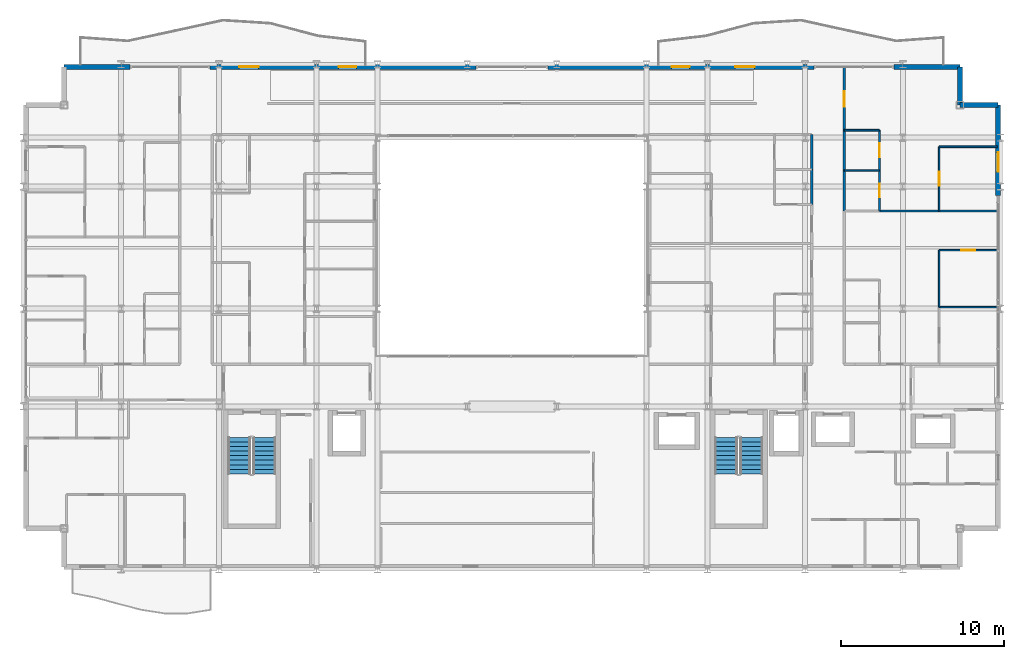
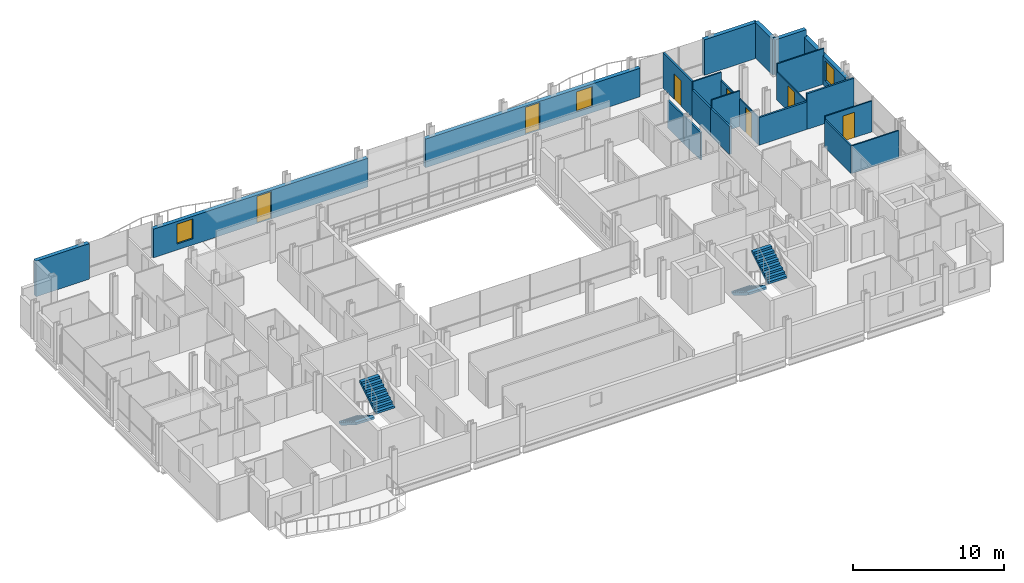
# One storey, part 36 of 40: 23 walls, 7 doors, 4 stair flights, 3 windows, 10 openings, 2 elements without a shape of their own.
"""IFC4 building model written with IfcOpenShell, lengths in metres."""

from ifc_helpers import new_model, si_unit, direction, frame, frame_2d, origin, place, context, subcontext, project, spatial, polyline, rectangle, outline, extrude, material, layer, layer_set, type_object, element, fill, aggregate, save


model = new_model("IFC4")

# Units and contexts
model_context = context("Model", 3, precision=1e-05, world=origin(), true_north=direction((0.0, 1.0)))
body_context = subcontext(model_context, "Body", "Model", "MODEL_VIEW")
ifc_project = project(units=[si_unit("LENGTHUNIT", "METRE"), si_unit("AREAUNIT", "SQUARE_METRE"), si_unit("VOLUMEUNIT", "CUBIC_METRE"), si_unit("PLANEANGLEUNIT", "RADIAN"), si_unit("MASSUNIT", "GRAM", prefix="KILO")], contexts=[model_context])

# Site, building, storey
site_placement = place(None, origin())
site = spatial("IfcSite", under=ifc_project, at=site_placement, CompositionType="ELEMENT")
building_placement = place(site_placement, origin())
building = spatial("IfcBuilding", under=site, at=building_placement, Name="Brevholm Reach", CompositionType="ELEMENT")
storey_placement = place(building_placement, frame((0.0, 0.0, 62.10009765625)))
storey = spatial("IfcBuildingStorey", under=building, at=storey_placement, Name="L17", CompositionType="ELEMENT", Elevation=62.10009765625)

# Walls
ifc_material_1 = material(Name="Concrete C40/50", Category="concrete")
ifc_layer_1 = layer(ifc_material_1, 0.300048828125)
ifc_layer_set_1 = layer_set([ifc_layer_1], Name="Concrete C40/50")
wall_type_1 = type_object("IfcWallType", Name="WAL-EXT-300", PredefinedType="STANDARD", material=ifc_layer_set_1)
for number, where, z_axis, x_axis, name in (
    (1, (59.85009765625, 28.5, 0.0), (0.0, 0.0, 1.0), (-1.0, 0.0, 0.0), "L17 Facade Wall WAL-L17-CNE1"),
    (2, (57.5, 28.5, 0.0), (0.0, 0.0, 1.0), (0.0, 1.0, 0.0), "L17 Facade Wall WAL-L17-CNE2"),
):
    element("IfcWall", number, at=place(storey_placement, frame(where, z_axis=z_axis, x_axis=x_axis)), inside=storey, type_object=wall_type_1, Name=name, PredefinedType="STANDARD", context=body_context, shape_type="SweptSolid", body=[
        extrude(rectangle(XDim=2.35009765625, YDim=0.300048828125, at=frame_2d((1.175048828125, 0.0))), origin(), (0.0, 0.0, 1.0), 2.869873046875),
    ])

# Wall, opening, window
wall_1_placement = place(storey_placement, frame((59.85009765625, 22.949951171875, 0.0), z_axis=(0.0, 0.0, 1.0), x_axis=(0.0, 1.0, 0.0)))
wall_1 = element("IfcWall", 3, at=wall_1_placement, inside=storey, type_object=wall_type_1, Name="L17 Facade Wall WAL-L17-E-N", PredefinedType="STANDARD", context=body_context, shape_type="SweptSolid", body=[
    extrude(rectangle(XDim=5.550048828125, YDim=0.300048828125, at=frame_2d((2.77490234375, 0.0))), origin(), (0.0, 0.0, 1.0), 2.305419921875),
])
opening_1_placement = place(wall_1_placement, frame((1.449951171875, 0.0, 0.486083984375)))
opening_1 = element("IfcOpeningElement", 4, at=opening_1_placement, cuts=wall_1, Name="Opening WN-08", PredefinedType="OPENING", context=body_context, shape_type="SweptSolid", body=[
    extrude(rectangle(XDim=1.199951171875, YDim=1.60009765625, at=frame_2d((0.60009765625, 0.800048828125))), frame((0.0, 0.159912109375, 0.0), z_axis=(0.0, -1.0, 0.0), x_axis=(1.0, 0.0, 0.0)), (0.0, 0.0, 1.0), 0.320068359375),
])
ifc_material_2 = material(Name="Dark Anodised Aluminium and Solar-Control IGU Glass", Category="aluminium")
window_type = type_object("IfcWindowType", Name="WIN-RES-1200", PartitioningType="SINGLE_PANEL", PredefinedType="WINDOW", material=ifc_material_2)
window_1_placement = place(opening_1_placement, origin())
window_1 = element("IfcWindow", 5, at=window_1_placement, inside=storey, type_object=window_type, Name="L17 Window WIN-L17-EN-1", OverallHeight=1.60009765625, OverallWidth=1.199951171875, PartitioningType="SINGLE_PANEL", PredefinedType="WINDOW", context=body_context, shape_type="SweptSolid", body=[
    extrude(rectangle(XDim=1.199951171875, YDim=1.60009765625, at=frame_2d((0.60009765625, 0.800048828125))), frame((0.0, 0.030029296875, 0.0), z_axis=(0.0, -1.0, 0.0), x_axis=(1.0, 0.0, 0.0)), (0.0, 0.0, 1.0), 0.06005859375),
])
fill(opening_1, window_1)

# Walls
for number, where, z_axis, x_axis, name in (
    (6, (2.5, 30.85009765625, 0.0), (0.0, 0.0, 1.0), (1.0, 0.0, 0.0), "L17 Facade Wall WAL-L17-NP-W0"),
    (7, (53.449951171875, 30.85009765625, 0.0), (0.0, 0.0, 1.0), (1.0, 0.0, 0.0), "L17 Facade Wall WAL-L17-NP-E0"),
):
    element("IfcWall", number, at=place(storey_placement, frame(where, z_axis=z_axis, x_axis=x_axis)), inside=storey, type_object=wall_type_1, Name=name, PredefinedType="STANDARD", context=body_context, shape_type="SweptSolid", body=[
        extrude(rectangle(XDim=4.050048828125, YDim=0.300048828125, at=frame_2d((2.02490234375, 0.0))), origin(), (0.0, 0.0, 1.0), 2.869873046875),
    ])

# Wall, openings, door, window
wall_2_placement = place(storey_placement, frame((11.449951171875, 30.85009765625, 0.0), z_axis=(0.0, 0.0, 1.0), x_axis=(1.0, 0.0, 0.0)))
wall_2 = element("IfcWall", 8, at=wall_2_placement, inside=storey, type_object=wall_type_1, Name="L17 Facade Wall WAL-L17-NP-WL", PredefinedType="STANDARD", context=body_context, shape_type="SweptSolid", body=[
    extrude(rectangle(XDim=16.35009765625, YDim=0.300048828125, at=frame_2d((8.175048828125, 0.0))), origin(), (0.0, 0.0, 1.0), 2.305419921875),
])
opening_2_placement = place(wall_2_placement, frame((7.89794921875, 0.0, 0.0)))
opening_2 = element("IfcOpeningElement", 9, at=opening_2_placement, cuts=wall_2, Name="Opening BD-01", PredefinedType="OPENING", context=body_context, shape_type="SweptSolid", body=[
    extrude(rectangle(XDim=1.10009765625, YDim=2.199951171875, at=frame_2d((0.550048828125, 1.10009765625))), frame((0.0, 0.159912109375, 0.0), z_axis=(0.0, -1.0, 0.0), x_axis=(1.0, 0.0, 0.0)), (0.0, 0.0, 1.0), 0.320068359375),
])
opening_3_placement = place(wall_2_placement, frame((1.800048828125, 0.0, 0.486083984375)))
opening_3 = element("IfcOpeningElement", 10, at=opening_3_placement, cuts=wall_2, Name="Opening WN-08", PredefinedType="OPENING", context=body_context, shape_type="SweptSolid", body=[
    extrude(rectangle(XDim=1.199951171875, YDim=1.60009765625, at=frame_2d((0.60009765625, 0.800048828125))), frame((0.0, 0.159912109375, 0.0), z_axis=(0.0, -1.0, 0.0), x_axis=(1.0, 0.0, 0.0)), (0.0, 0.0, 1.0), 0.320068359375),
])
ifc_material_3 = material(Name="Dark Anodised Aluminium and Triple-Glazed Glass", Category="aluminium")
door_type_1 = type_object("IfcDoorType", Name="DOR-BALC-1100", OperationType="NOTDEFINED", PredefinedType="DOOR", material=ifc_material_3)
door_1_placement = place(opening_2_placement, origin())
door_1 = element("IfcDoor", 11, at=door_1_placement, inside=storey, type_object=door_type_1, Name="L17 Exterior Door DOR-L17-BL-NW", OperationType="SINGLE_SWING_RIGHT", OverallHeight=2.199951171875, OverallWidth=1.10009765625, PredefinedType="DOOR", context=body_context, shape_type="SweptSolid", body=[
    extrude(rectangle(XDim=1.10009765625, YDim=2.199951171875, at=frame_2d((0.550048828125, 1.10009765625))), frame((0.0, 0.02490234375, 0.0), z_axis=(0.0, -1.0, 0.0), x_axis=(1.0, 0.0, 0.0)), (0.0, 0.0, 1.0), 0.050048828125),
])
fill(opening_2, door_1)
window_2_placement = place(opening_3_placement, origin())
window_2 = element("IfcWindow", 12, at=window_2_placement, inside=storey, type_object=window_type, Name="L17 Window WIN-L17-NP-WL1", OverallHeight=1.60009765625, OverallWidth=1.199951171875, PartitioningType="SINGLE_PANEL", PredefinedType="WINDOW", context=body_context, shape_type="SweptSolid", body=[
    extrude(rectangle(XDim=1.199951171875, YDim=1.60009765625, at=frame_2d((0.60009765625, 0.800048828125))), frame((0.0, 0.030029296875, 0.0), z_axis=(0.0, -1.0, 0.0), x_axis=(1.0, 0.0, 0.0)), (0.0, 0.0, 1.0), 0.06005859375),
])
fill(opening_3, window_2)

wall_3_placement = place(storey_placement, frame((32.199951171875, 30.85009765625, 0.0), z_axis=(0.0, 0.0, 1.0), x_axis=(1.0, 0.0, 0.0)))
wall_3 = element("IfcWall", 13, at=wall_3_placement, inside=storey, type_object=wall_type_1, Name="L17 Facade Wall WAL-L17-NP-ER", PredefinedType="STANDARD", context=body_context, shape_type="SweptSolid", body=[
    extrude(rectangle(XDim=16.35009765625, YDim=0.300048828125, at=frame_2d((8.175048828125, 0.0))), origin(), (0.0, 0.0, 1.0), 2.305419921875),
])
opening_4_placement = place(wall_3_placement, frame((7.60009765625, 0.0, 0.0)))
opening_4 = element("IfcOpeningElement", 14, at=opening_4_placement, cuts=wall_3, Name="Opening BD-01", PredefinedType="OPENING", context=body_context, shape_type="SweptSolid", body=[
    extrude(rectangle(XDim=1.10009765625, YDim=2.199951171875, at=frame_2d((0.550048828125, 1.10009765625))), frame((0.0, 0.159912109375, 0.0), z_axis=(0.0, -1.0, 0.0), x_axis=(1.0, 0.0, 0.0)), (0.0, 0.0, 1.0), 0.320068359375),
])
opening_5_placement = place(wall_3_placement, frame((11.5, 0.0, 0.486083984375)))
opening_5 = element("IfcOpeningElement", 15, at=opening_5_placement, cuts=wall_3, Name="Opening WN-08", PredefinedType="OPENING", context=body_context, shape_type="SweptSolid", body=[
    extrude(rectangle(XDim=1.199951171875, YDim=1.60009765625, at=frame_2d((0.60009765625, 0.800048828125))), frame((0.0, 0.159912109375, 0.0), z_axis=(0.0, -1.0, 0.0), x_axis=(1.0, 0.0, 0.0)), (0.0, 0.0, 1.0), 0.320068359375),
])
door_2_placement = place(opening_4_placement, origin())
door_2 = element("IfcDoor", 16, at=door_2_placement, inside=storey, type_object=door_type_1, Name="L17 Exterior Door DOR-L17-BL-NE", OperationType="SINGLE_SWING_LEFT", OverallHeight=2.199951171875, OverallWidth=1.10009765625, PredefinedType="DOOR", context=body_context, shape_type="SweptSolid", body=[
    extrude(rectangle(XDim=1.10009765625, YDim=2.199951171875, at=frame_2d((0.550048828125, 1.10009765625))), frame((0.0, 0.02490234375, 0.0), z_axis=(0.0, -1.0, 0.0), x_axis=(1.0, 0.0, 0.0)), (0.0, 0.0, 1.0), 0.050048828125),
])
fill(opening_4, door_2)
window_3_placement = place(opening_5_placement, origin())
window_3 = element("IfcWindow", 17, at=window_3_placement, inside=storey, type_object=window_type, Name="L17 Window WIN-L17-NP-ER1", OverallHeight=1.60009765625, OverallWidth=1.199951171875, PartitioningType="SINGLE_PANEL", PredefinedType="WINDOW", context=body_context, shape_type="SweptSolid", body=[
    extrude(rectangle(XDim=1.199951171875, YDim=1.60009765625, at=frame_2d((0.60009765625, 0.800048828125))), frame((0.0, 0.030029296875, 0.0), z_axis=(0.0, -1.0, 0.0), x_axis=(1.0, 0.0, 0.0)), (0.0, 0.0, 1.0), 0.06005859375),
])
fill(opening_5, window_3)

# Wall
ifc_material_4 = material(Name="Moisture-Resistant Acoustic Gypsum Stud Partition 100 mm", Category="gypsum")
ifc_layer_2 = layer(ifc_material_4, 0.10009765625)
ifc_layer_set_2 = layer_set([ifc_layer_2], Name="Moisture-Resistant Acoustic Gypsum Stud Partition 100 mm")
wall_type_2 = type_object("IfcWallType", Name="WAL-PRT-100", PredefinedType="PARTITIONING", material=ifc_layer_set_2)
wall_4_placement = place(storey_placement, frame((56.22802734375, 16.10009765625, 0.0), z_axis=(0.0, 0.0, 1.0), x_axis=(1.0, 0.0, 0.0)))
element("IfcWall", 18, at=wall_4_placement, inside=storey, type_object=wall_type_2, Name="L17 Internal Partition 135", PredefinedType="PARTITIONING", context=body_context, shape_type="SweptSolid", body=[
    extrude(rectangle(XDim=3.572021484375, YDim=0.10009765625, at=frame_2d((1.7861328125, 0.0))), origin(), (0.0, 0.0, 1.0), 2.224609375),
])

# Wall, opening, door
wall_5_placement = place(storey_placement, frame((56.22802734375, 19.60009765625, 0.0), z_axis=(0.0, 0.0, 1.0), x_axis=(1.0, 0.0, 0.0)))
wall_5 = element("IfcWall", 19, at=wall_5_placement, inside=storey, type_object=wall_type_2, Name="L17 Internal Partition 137", PredefinedType="PARTITIONING", context=body_context, shape_type="SweptSolid", body=[
    extrude(rectangle(XDim=3.572021484375, YDim=0.10009765625, at=frame_2d((1.7861328125, 0.0))), origin(), (0.0, 0.0, 1.0), 2.489990234375),
])
opening_6_placement = place(wall_5_placement, frame((1.345947265625, 0.0, 0.0)))
opening_6 = element("IfcOpeningElement", 20, at=opening_6_placement, cuts=wall_5, Name="Opening ID-01", PredefinedType="OPENING", context=body_context, shape_type="SweptSolid", body=[
    extrude(rectangle(XDim=0.8798828125, YDim=2.0400390625, at=frame_2d((0.43994140625, 1.02001953125))), frame((0.0, 0.06005859375, 0.0), z_axis=(0.0, -1.0, 0.0), x_axis=(1.0, 0.0, 0.0)), (0.0, 0.0, 1.0), 0.1201171875),
])
ifc_material_5 = material(Name="Lacquered Ash Solid-Core Acoustic Internal Door", Category="timber")
door_type_2 = type_object("IfcDoorType", Name="DOR-INT-880", OperationType="NOTDEFINED", PredefinedType="DOOR", material=ifc_material_5)
door_3_placement = place(opening_6_placement, origin())
door_3 = element("IfcDoor", 21, at=door_3_placement, inside=storey, type_object=door_type_2, Name="L17 Internal Door 054", OperationType="SINGLE_SWING_RIGHT", OverallHeight=2.0400390625, OverallWidth=0.8798828125, PredefinedType="DOOR", context=body_context, shape_type="SweptSolid", body=[
    extrude(rectangle(XDim=0.8798828125, YDim=2.0400390625, at=frame_2d((0.43994140625, 1.02001953125))), frame((0.0, 0.02490234375, 0.0), z_axis=(0.0, -1.0, 0.0), x_axis=(1.0, 0.0, 0.0)), (0.0, 0.0, 1.0), 0.050048828125),
])
fill(opening_6, door_3)

# Walls
wall_6_placement = place(storey_placement, frame((56.22802734375, 16.10400390625, 0.0), z_axis=(0.0, 0.0, 1.0), x_axis=(0.0, 1.0, 0.0)))
element("IfcWall", 22, at=wall_6_placement, inside=storey, type_object=wall_type_2, Name="L17 Internal Partition 138", PredefinedType="PARTITIONING", context=body_context, shape_type="SweptSolid", body=[
    extrude(rectangle(XDim=3.49609375, YDim=0.10009765625, at=frame_2d((1.748046875, 0.0))), origin(), (0.0, 0.0, 1.0), 2.224609375),
])
wall_7_placement = place(storey_placement, frame((50.404052734375, 24.49609375, 0.0), z_axis=(0.0, 0.0, 1.0), x_axis=(1.0, 0.0, 0.0)))
element("IfcWall", 23, at=wall_7_placement, inside=storey, type_object=wall_type_2, Name="L17 Internal Partition 142", PredefinedType="PARTITIONING", context=body_context, shape_type="SweptSolid", body=[
    extrude(rectangle(XDim=2.157958984375, YDim=0.10009765625, at=frame_2d((1.0791015625, 0.0))), origin(), (0.0, 0.0, 1.0), 2.869873046875),
])

# Wall, opening, door
wall_8_placement = place(storey_placement, frame((52.56201171875, 22.00390625, 0.0), z_axis=(0.0, 0.0, 1.0), x_axis=(0.0, 1.0, 0.0)))
wall_8 = element("IfcWall", 24, at=wall_8_placement, inside=storey, type_object=wall_type_2, Name="L17 Internal Partition 143", PredefinedType="PARTITIONING", context=body_context, shape_type="SweptSolid", body=[
    extrude(rectangle(XDim=2.4921875, YDim=0.10009765625, at=frame_2d((1.24609375, 0.0))), origin(), (0.0, 0.0, 1.0), 2.224609375),
])
opening_7_placement = place(wall_8_placement, frame((0.8359375, 0.0, 0.0)))
opening_7 = element("IfcOpeningElement", 25, at=opening_7_placement, cuts=wall_8, Name="Opening ID-03", PredefinedType="OPENING", context=body_context, shape_type="SweptSolid", body=[
    extrude(rectangle(XDim=0.820068359375, YDim=2.02001953125, at=frame_2d((0.41015625, 1.010009765625))), frame((0.0, 0.06005859375, 0.0), z_axis=(0.0, -1.0, 0.0), x_axis=(1.0, 0.0, 0.0)), (0.0, 0.0, 1.0), 0.1201171875),
])
ifc_material_6 = material(Name="Moisture-Resistant Painted Timber Internal Bathroom Door", Category="wood")
door_type_3 = type_object("IfcDoorType", Name="DOR-BATH-820", OperationType="NOTDEFINED", PredefinedType="DOOR", material=ifc_material_6)
door_4_placement = place(opening_7_placement, origin())
door_4 = element("IfcDoor", 26, at=door_4_placement, inside=storey, type_object=door_type_3, Name="L17 Internal Door 055", OperationType="SINGLE_SWING_LEFT", OverallHeight=2.02001953125, OverallWidth=0.820068359375, PredefinedType="DOOR", context=body_context, shape_type="SweptSolid", body=[
    extrude(rectangle(XDim=0.820068359375, YDim=2.02001953125, at=frame_2d((0.41015625, 1.010009765625))), frame((0.0, 0.02490234375, 0.0), z_axis=(0.0, -1.0, 0.0), x_axis=(1.0, 0.0, 0.0)), (0.0, 0.0, 1.0), 0.050048828125),
])
fill(opening_7, door_4)

wall_9_placement = place(storey_placement, frame((52.56201171875, 24.5, 0.0), z_axis=(0.0, 0.0, 1.0), x_axis=(0.0, 1.0, 0.0)))
wall_9 = element("IfcWall", 27, at=wall_9_placement, inside=storey, type_object=wall_type_2, Name="L17 Internal Partition 144", PredefinedType="PARTITIONING", context=body_context, shape_type="SweptSolid", body=[
    extrude(rectangle(XDim=2.4599609375, YDim=0.10009765625, at=frame_2d((1.22998046875, 0.0))), origin(), (0.0, 0.0, 1.0), 2.224609375),
])
opening_8_placement = place(wall_9_placement, frame((0.7900390625, 0.0, 0.0)))
opening_8 = element("IfcOpeningElement", 28, at=opening_8_placement, cuts=wall_9, Name="Opening ID-01", PredefinedType="OPENING", context=body_context, shape_type="SweptSolid", body=[
    extrude(rectangle(XDim=0.8798828125, YDim=2.0400390625, at=frame_2d((0.43994140625, 1.02001953125))), frame((0.0, 0.06005859375, 0.0), z_axis=(0.0, -1.0, 0.0), x_axis=(1.0, 0.0, 0.0)), (0.0, 0.0, 1.0), 0.1201171875),
])
door_5_placement = place(opening_8_placement, origin())
door_5 = element("IfcDoor", 29, at=door_5_placement, inside=storey, type_object=door_type_2, Name="L17 Internal Door 056", OperationType="SINGLE_SWING_RIGHT", OverallHeight=2.0400390625, OverallWidth=0.8798828125, PredefinedType="DOOR", context=body_context, shape_type="SweptSolid", body=[
    extrude(rectangle(XDim=0.8798828125, YDim=2.0400390625, at=frame_2d((0.43994140625, 1.02001953125))), frame((0.0, 0.02490234375, 0.0), z_axis=(0.0, -1.0, 0.0), x_axis=(1.0, 0.0, 0.0)), (0.0, 0.0, 1.0), 0.050048828125),
])
fill(opening_8, door_5)

# Walls
wall_10_placement = place(storey_placement, frame((50.404052734375, 26.9599609375, 0.0), z_axis=(0.0, 0.0, 1.0), x_axis=(1.0, 0.0, 0.0)))
element("IfcWall", 30, at=wall_10_placement, inside=storey, type_object=wall_type_2, Name="L17 Internal Partition 145", PredefinedType="PARTITIONING", context=body_context, shape_type="SweptSolid", body=[
    extrude(rectangle(XDim=2.157958984375, YDim=0.10009765625, at=frame_2d((1.0791015625, 0.0))), origin(), (0.0, 0.0, 1.0), 2.869873046875),
])
wall_11_placement = place(storey_placement, frame((56.22802734375, 25.949951171875, 0.0), z_axis=(0.0, 0.0, 1.0), x_axis=(1.0, 0.0, 0.0)))
element("IfcWall", 31, at=wall_11_placement, inside=storey, type_object=wall_type_2, Name="L17 Internal Partition 146", PredefinedType="PARTITIONING", context=body_context, shape_type="SweptSolid", body=[
    extrude(rectangle(XDim=3.572021484375, YDim=0.10009765625, at=frame_2d((1.7861328125, 0.0))), origin(), (0.0, 0.0, 1.0), 2.869873046875),
])

# Wall, opening, door
wall_12_placement = place(storey_placement, frame((56.22802734375, 22.00390625, 0.0), z_axis=(0.0, 0.0, 1.0), x_axis=(0.0, 1.0, 0.0)))
wall_12 = element("IfcWall", 32, at=wall_12_placement, inside=storey, type_object=wall_type_2, Name="L17 Internal Partition 147", PredefinedType="PARTITIONING", context=body_context, shape_type="SweptSolid", body=[
    extrude(rectangle(XDim=3.946044921875, YDim=0.10009765625, at=frame_2d((1.97314453125, 0.0))), origin(), (0.0, 0.0, 1.0), 2.224609375),
])
opening_9_placement = place(wall_12_placement, frame((1.532958984375, 0.0, 0.0)))
opening_9 = element("IfcOpeningElement", 33, at=opening_9_placement, cuts=wall_12, Name="Opening ID-01", PredefinedType="OPENING", context=body_context, shape_type="SweptSolid", body=[
    extrude(rectangle(XDim=0.8798828125, YDim=2.0400390625, at=frame_2d((0.43994140625, 1.02001953125))), frame((0.0, 0.06005859375, 0.0), z_axis=(0.0, -1.0, 0.0), x_axis=(1.0, 0.0, 0.0)), (0.0, 0.0, 1.0), 0.1201171875),
])
door_6_placement = place(opening_9_placement, origin())
door_6 = element("IfcDoor", 34, at=door_6_placement, inside=storey, type_object=door_type_2, Name="L17 Internal Door 057", OperationType="SINGLE_SWING_LEFT", OverallHeight=2.0400390625, OverallWidth=0.8798828125, PredefinedType="DOOR", context=body_context, shape_type="SweptSolid", body=[
    extrude(rectangle(XDim=0.8798828125, YDim=2.0400390625, at=frame_2d((0.43994140625, 1.02001953125))), frame((0.0, 0.02490234375, 0.0), z_axis=(0.0, -1.0, 0.0), x_axis=(1.0, 0.0, 0.0)), (0.0, 0.0, 1.0), 0.050048828125),
])
fill(opening_9, door_6)

# Walls
ifc_material_7 = material(Name="Twin-Stud Acoustic Fire-Rated Gypsum Partition 140 mm", Category="gypsum")
ifc_layer_3 = layer(ifc_material_7, 0.139892578125)
ifc_layer_set_3 = layer_set([ifc_layer_3], Name="Twin-Stud Acoustic Fire-Rated Gypsum Partition 140 mm")
wall_type_3 = type_object("IfcWallType", Name="WAL-PRT-140", PredefinedType="PARTITIONING", material=ifc_layer_set_3)
wall_13_placement = place(storey_placement, frame((48.39990234375, 24.538818359375, 0.0), z_axis=(0.0, 0.0, 1.0), x_axis=(0.0, 1.0, 0.0)))
element("IfcWall", 35, at=wall_13_placement, inside=storey, type_object=wall_type_3, Name="L17 Internal Partition 045", PredefinedType="PARTITIONING", context=body_context, shape_type="SweptSolid", body=[
    extrude(rectangle(XDim=2.16845703125, YDim=0.139892578125, at=frame_2d((1.084228515625, 0.0))), origin(), (0.0, 0.0, 1.0), 2.224609375),
])
wall_14_placement = place(storey_placement, frame((48.39990234375, 22.388671875, 0.0), z_axis=(0.0, 0.0, 1.0), x_axis=(0.0, 1.0, 0.0)))
element("IfcWall", 36, at=wall_14_placement, inside=storey, type_object=wall_type_3, Name="L17 Internal Partition 046", PredefinedType="PARTITIONING", context=body_context, shape_type="SweptSolid", body=[
    extrude(rectangle(XDim=2.168701171875, YDim=0.139892578125, at=frame_2d((1.08447265625, 0.0))), origin(), (0.0, 0.0, 1.0), 2.224609375),
])
wall_15_placement = place(storey_placement, frame((50.39990234375, 21.99267578125, 0.0), z_axis=(0.0, 0.0, 1.0), x_axis=(0.0, 1.0, 0.0)))
element("IfcWall", 37, at=wall_15_placement, inside=storey, type_object=wall_type_3, Name="L17 Internal Partition 051", PredefinedType="PARTITIONING", context=body_context, shape_type="SweptSolid", body=[
    extrude(rectangle(XDim=2.5146484375, YDim=0.139892578125, at=frame_2d((1.25732421875, 0.0))), origin(), (0.0, 0.0, 1.0), 2.224609375),
])
wall_16_placement = place(storey_placement, frame((50.39990234375, 24.48876953125, 0.0), z_axis=(0.0, 0.0, 1.0), x_axis=(0.0, 1.0, 0.0)))
element("IfcWall", 38, at=wall_16_placement, inside=storey, type_object=wall_type_3, Name="L17 Internal Partition 052", PredefinedType="PARTITIONING", context=body_context, shape_type="SweptSolid", body=[
    extrude(rectangle(XDim=2.482421875, YDim=0.139892578125, at=frame_2d((1.2412109375, 0.0))), origin(), (0.0, 0.0, 1.0), 2.224609375),
])

# Wall, opening, door
wall_17_placement = place(storey_placement, frame((50.39990234375, 26.95263671875, 0.0), z_axis=(0.0, 0.0, 1.0), x_axis=(0.0, 1.0, 0.0)))
wall_17 = element("IfcWall", 39, at=wall_17_placement, inside=storey, type_object=wall_type_3, Name="L17 Internal Partition 053", PredefinedType="PARTITIONING", context=body_context, shape_type="SweptSolid", body=[
    extrude(rectangle(XDim=3.847412109375, YDim=0.139892578125, at=frame_2d((1.923828125, 0.0))), origin(), (0.0, 0.0, 1.0), 2.869873046875),
])
opening_10_placement = place(wall_17_placement, frame((1.44873046875, 0.0, 0.0)))
opening_10 = element("IfcOpeningElement", 40, at=opening_10_placement, cuts=wall_17, Name="Opening ID-30", PredefinedType="OPENING", context=body_context, shape_type="SweptSolid", body=[
    extrude(rectangle(XDim=0.949951171875, YDim=2.050048828125, at=frame_2d((0.47509765625, 1.02490234375))), frame((0.0, 0.079833984375, 0.0), z_axis=(0.0, -1.0, 0.0), x_axis=(1.0, 0.0, 0.0)), (0.0, 0.0, 1.0), 0.159912109375),
])
ifc_material_8 = material(Name="European Oak Veneered Solid-Core Fire Entrance Door", Category="timber")
door_type_4 = type_object("IfcDoorType", Name="DOR-FLT-FD30S", OperationType="NOTDEFINED", PredefinedType="DOOR", material=ifc_material_8)
door_7_placement = place(opening_10_placement, origin())
door_7 = element("IfcDoor", 41, at=door_7_placement, inside=storey, type_object=door_type_4, Name="L17 Internal Door 020", OperationType="SINGLE_SWING_RIGHT", OverallHeight=2.050048828125, OverallWidth=0.949951171875, PredefinedType="DOOR", context=body_context, shape_type="SweptSolid", body=[
    extrude(rectangle(XDim=0.949951171875, YDim=2.050048828125, at=frame_2d((0.47509765625, 1.02490234375))), frame((0.0, 0.02490234375, 0.0), z_axis=(0.0, -1.0, 0.0), x_axis=(1.0, 0.0, 0.0)), (0.0, 0.0, 1.0), 0.050048828125),
])
fill(opening_10, door_7)

# Walls
wall_18_placement = place(storey_placement, frame((56.216796875, 22.0, 0.0), z_axis=(0.0, 0.0, 1.0), x_axis=(1.0, 0.0, 0.0)))
element("IfcWall", 42, at=wall_18_placement, inside=storey, type_object=wall_type_3, Name="L17 Internal Partition 140", PredefinedType="PARTITIONING", context=body_context, shape_type="SweptSolid", body=[
    extrude(rectangle(XDim=3.583251953125, YDim=0.139892578125, at=frame_2d((1.79150390625, 0.0))), origin(), (0.0, 0.0, 1.0), 2.869873046875),
])
wall_19_placement = place(storey_placement, frame((52.5546875, 22.0, 0.0), z_axis=(0.0, 0.0, 1.0), x_axis=(1.0, 0.0, 0.0)))
element("IfcWall", 43, at=wall_19_placement, inside=storey, type_object=wall_type_3, Name="L17 Internal Partition 141", PredefinedType="PARTITIONING", context=body_context, shape_type="SweptSolid", body=[
    extrude(rectangle(XDim=3.6806640625, YDim=0.139892578125, at=frame_2d((1.84033203125, 0.0))), origin(), (0.0, 0.0, 1.0), 2.224609375),
])

# Stair, stair flights
ifc_material_9 = material(Name="Precast Concrete C40/50", Category="concrete")
stair_type = type_object("IfcStairType", Name="STR-ESC-1400", PredefinedType="DOUBLE_RETURN_STAIR", material=ifc_material_9)
stair_1_placement = place(storey_placement, origin())
stair_1 = element("IfcStair", 44, at=stair_1_placement, inside=storey, type_object=stair_type, Name="L17 ST-1", PredefinedType="DOUBLE_RETURN_STAIR")
ifc_material_10 = material(Name="Precast Concrete C40/50", Category="concrete")
ifc_layer_4 = layer(ifc_material_10, 0.18505859375)
ifc_layer_set_4 = layer_set([ifc_layer_4], Name="Precast Concrete C40/50")
stair_flight_type = type_object("IfcStairFlightType", Name="STF-PRC-185", PredefinedType="STRAIGHT", material=ifc_layer_set_4)
stair_flight_1_placement = place(storey_placement, frame((13.25, 8.10009765625, 0.0), z_axis=(0.0, 0.0, 1.0), x_axis=(0.0, -1.0, 0.0)))
stair_flight_1 = element("IfcStairFlight", 45, at=stair_flight_1_placement, type_object=stair_flight_type, Name="ST-1 flight 1", NumberOfRisers=9, NumberOfTreads=8, PredefinedType="STRAIGHT", RiserHeight=0.172222222, TreadLength=0.28, context=body_context, shape_type="SweptSolid", body=[
    extrude(outline(polyline([(0.0, 0.0), (0.0, 0.172119140625), (0.280029296875, 0.172119140625), (0.280029296875, 0.344482421875), (0.56005859375, 0.344482421875), (0.56005859375, 0.5166015625), (0.840087890625, 0.5166015625), (0.840087890625, 0.68896484375), (1.1201171875, 0.68896484375), (1.1201171875, 0.861083984375), (1.39990234375, 0.861083984375), (1.39990234375, 1.033447265625), (1.679931640625, 1.033447265625), (1.679931640625, 1.20556640625), (1.9599609375, 1.20556640625), (1.9599609375, 1.377685546875), (2.239990234375, 1.377685546875), (2.239990234375, 1.550048828125), (2.239990234375, 1.201904296875), (0.2861328125, 0.0), (0.0, 0.0)])), frame((0.0, 0.699951171875, 0.0), z_axis=(0.0, -1.0, 0.0), x_axis=(1.0, 0.0, 0.0)), (0.0, 0.0, 1.0), 1.39990234375),
])
stair_flight_2_placement = place(storey_placement, frame((14.800048828125, 5.860107421875, 1.5498046875), z_axis=(0.0, 0.0, 1.0), x_axis=(0.0, 1.0, 0.0)))
stair_flight_2 = element("IfcStairFlight", 46, at=stair_flight_2_placement, type_object=stair_flight_type, Name="ST-1 flight 2", NumberOfRisers=9, NumberOfTreads=8, PredefinedType="STRAIGHT", RiserHeight=0.172222222, TreadLength=0.28, context=body_context, shape_type="SweptSolid", body=[
    extrude(outline(polyline([(0.0, 0.0), (0.0, 0.172119140625), (0.280029296875, 0.172119140625), (0.280029296875, 0.344482421875), (0.56005859375, 0.344482421875), (0.56005859375, 0.5166015625), (0.840087890625, 0.5166015625), (0.840087890625, 0.68896484375), (1.1201171875, 0.68896484375), (1.1201171875, 0.861083984375), (1.39990234375, 0.861083984375), (1.39990234375, 1.033447265625), (1.679931640625, 1.033447265625), (1.679931640625, 1.20556640625), (1.9599609375, 1.20556640625), (1.9599609375, 1.377685546875), (2.239990234375, 1.377685546875), (2.239990234375, 1.550048828125), (2.239990234375, 1.201904296875), (0.2861328125, 0.0), (0.0, 0.0)])), frame((0.0, 0.699951171875, 0.0), z_axis=(0.0, -1.0, 0.0), x_axis=(1.0, 0.0, 0.0)), (0.0, 0.0, 1.0), 1.39990234375),
])
aggregate(stair_1, [stair_flight_1, stair_flight_2])

stair_2_placement = place(storey_placement, origin())
stair_2 = element("IfcStair", 47, at=stair_2_placement, inside=storey, type_object=stair_type, Name="L17 ST-2", PredefinedType="DOUBLE_RETURN_STAIR")
stair_flight_3_placement = place(storey_placement, frame((43.14990234375, 8.10009765625, 0.0), z_axis=(0.0, 0.0, 1.0), x_axis=(0.0, -1.0, 0.0)))
stair_flight_3 = element("IfcStairFlight", 48, at=stair_flight_3_placement, type_object=stair_flight_type, Name="ST-2 flight 1", NumberOfRisers=9, NumberOfTreads=8, PredefinedType="STRAIGHT", RiserHeight=0.172222222, TreadLength=0.28, context=body_context, shape_type="SweptSolid", body=[
    extrude(outline(polyline([(0.0, 0.0), (0.0, 0.172119140625), (0.280029296875, 0.172119140625), (0.280029296875, 0.344482421875), (0.56005859375, 0.344482421875), (0.56005859375, 0.5166015625), (0.840087890625, 0.5166015625), (0.840087890625, 0.68896484375), (1.1201171875, 0.68896484375), (1.1201171875, 0.861083984375), (1.39990234375, 0.861083984375), (1.39990234375, 1.033447265625), (1.679931640625, 1.033447265625), (1.679931640625, 1.20556640625), (1.9599609375, 1.20556640625), (1.9599609375, 1.377685546875), (2.239990234375, 1.377685546875), (2.239990234375, 1.550048828125), (2.239990234375, 1.201904296875), (0.2861328125, 0.0), (0.0, 0.0)])), frame((0.0, 0.699951171875, 0.0), z_axis=(0.0, -1.0, 0.0), x_axis=(1.0, 0.0, 0.0)), (0.0, 0.0, 1.0), 1.39990234375),
])
stair_flight_4_placement = place(storey_placement, frame((44.699951171875, 5.860107421875, 1.5498046875), z_axis=(0.0, 0.0, 1.0), x_axis=(0.0, 1.0, 0.0)))
stair_flight_4 = element("IfcStairFlight", 49, at=stair_flight_4_placement, type_object=stair_flight_type, Name="ST-2 flight 2", NumberOfRisers=9, NumberOfTreads=8, PredefinedType="STRAIGHT", RiserHeight=0.172222222, TreadLength=0.28, context=body_context, shape_type="SweptSolid", body=[
    extrude(outline(polyline([(0.0, 0.0), (0.0, 0.172119140625), (0.280029296875, 0.172119140625), (0.280029296875, 0.344482421875), (0.56005859375, 0.344482421875), (0.56005859375, 0.5166015625), (0.840087890625, 0.5166015625), (0.840087890625, 0.68896484375), (1.1201171875, 0.68896484375), (1.1201171875, 0.861083984375), (1.39990234375, 0.861083984375), (1.39990234375, 1.033447265625), (1.679931640625, 1.033447265625), (1.679931640625, 1.20556640625), (1.9599609375, 1.20556640625), (1.9599609375, 1.377685546875), (2.239990234375, 1.377685546875), (2.239990234375, 1.550048828125), (2.239990234375, 1.201904296875), (0.2861328125, 0.0), (0.0, 0.0)])), frame((0.0, 0.699951171875, 0.0), z_axis=(0.0, -1.0, 0.0), x_axis=(1.0, 0.0, 0.0)), (0.0, 0.0, 1.0), 1.39990234375),
])
aggregate(stair_2, [stair_flight_3, stair_flight_4])

save(model, "model.ifc")
